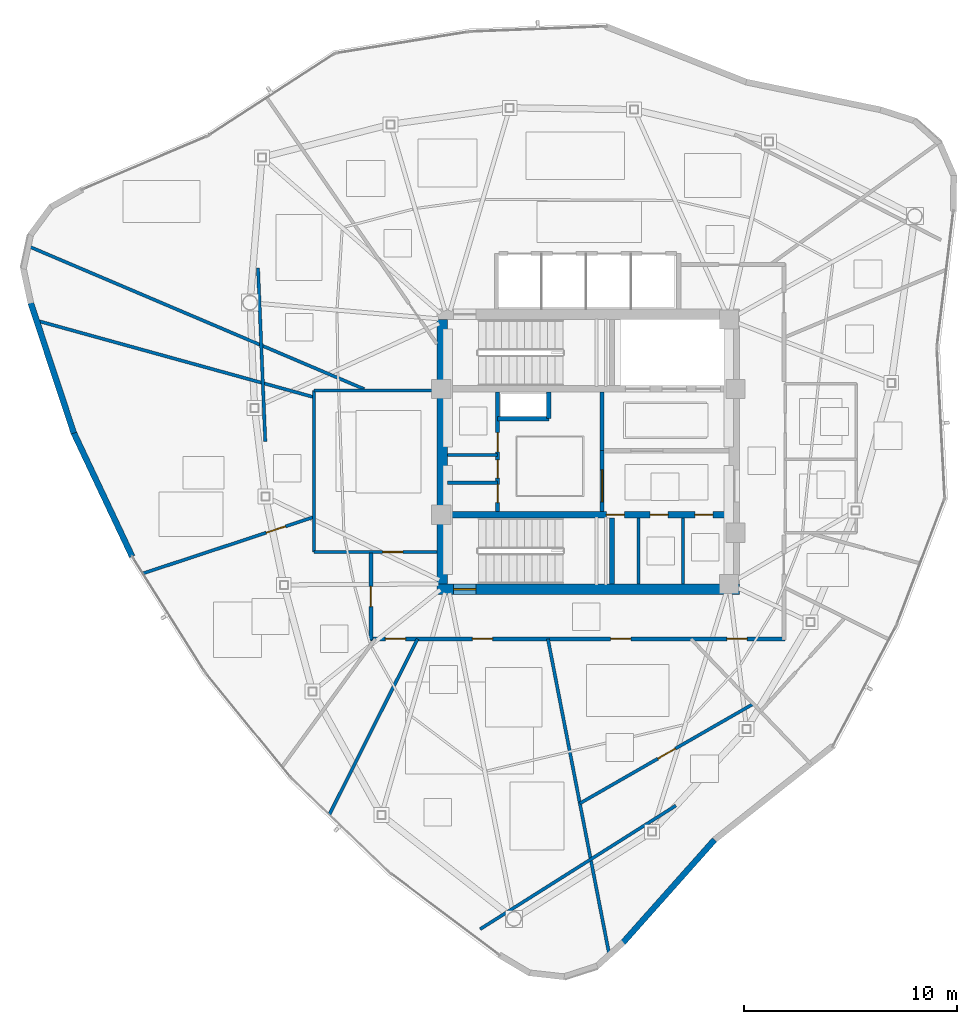
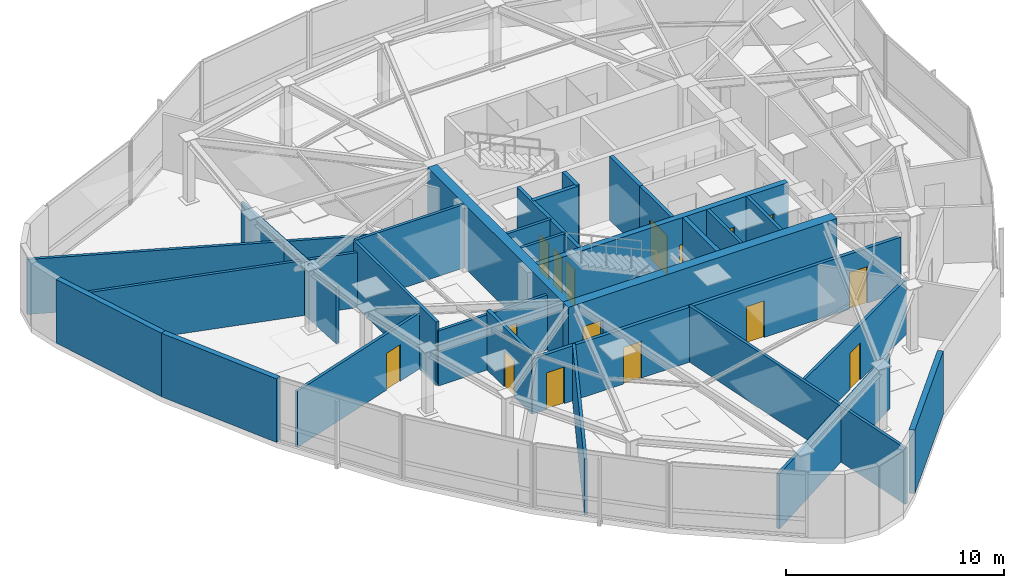
# One storey, part 8 of 12: 29 walls, 16 doors, 16 openings.
"""IFC4 building model written with IfcOpenShell, lengths in metres."""

from ifc_helpers import new_model, si_unit, direction, frame, frame_2d, origin, place, context, subcontext, project, spatial, rectangle, extrude, material, layer, layer_set, type_object, element, fill, save


model = new_model("IFC4")

# Units and contexts
model_context = context("Model", 3, precision=1e-05, world=origin(), true_north=direction((0.0, 1.0)))
body_context = subcontext(model_context, "Body", "Model", "MODEL_VIEW")
ifc_project = project(units=[si_unit("LENGTHUNIT", "METRE"), si_unit("AREAUNIT", "SQUARE_METRE"), si_unit("VOLUMEUNIT", "CUBIC_METRE"), si_unit("PLANEANGLEUNIT", "RADIAN"), si_unit("MASSUNIT", "GRAM", prefix="KILO")], contexts=[model_context])

# Site, building, storey
site_placement = place(None, origin())
site = spatial("IfcSite", under=ifc_project, at=site_placement, CompositionType="ELEMENT")
building_placement = place(site_placement, origin())
building = spatial("IfcBuilding", under=site, at=building_placement, Name="Tavelor Broadcast Tower", CompositionType="ELEMENT")
storey_placement = place(building_placement, frame((0.0, 0.0, 321.5)))
storey = spatial("IfcBuildingStorey", under=building, at=storey_placement, Name="L77", CompositionType="ELEMENT", Elevation=321.5)

# Wall, opening, door
ifc_material_1 = material(Name="Concrete C50/60", Category="concrete")
ifc_layer_1 = layer(ifc_material_1, 0.5)
ifc_layer_set_1 = layer_set([ifc_layer_1], Name="Concrete C50/60")
wall_type_1 = type_object("IfcWallType", Name="Core Shear Wall 500 mm", PredefinedType="SHEAR", material=ifc_layer_set_1)
wall_1_placement = place(storey_placement, frame((42.89990234375, 38.550048828125, 0.0), z_axis=(0.0, 0.0, 1.0), x_axis=(1.0, 0.0, 0.0)))
wall_1 = element("IfcWall", 1, at=wall_1_placement, inside=storey, type_object=wall_type_1, Name="L77 Central Core Shear Wall S", PredefinedType="SHEAR", context=body_context, shape_type="SweptSolid", body=[
    extrude(rectangle(XDim=14.2001953125, YDim=0.5, at=frame_2d((7.10009765625, 0.0))), origin(), (0.0, 0.0, 1.0), 3.550048828125),
])
opening_1_placement = place(wall_1_placement, frame((0.780029296875, 0.0, 0.0)))
opening_1 = element("IfcOpeningElement", 2, at=opening_1_placement, cuts=wall_1, Name="Opening DR11", PredefinedType="OPENING", context=body_context, shape_type="SweptSolid", body=[
    extrude(rectangle(XDim=1.050048828125, YDim=2.199951171875, at=frame_2d((0.52490234375, 1.10009765625))), frame((0.0, 0.260009765625, 0.0), z_axis=(0.0, -1.0, 0.0), x_axis=(1.0, 0.0, 0.0)), (0.0, 0.0, 1.0), 0.52001953125),
])
ifc_material_2 = material(Name="Steel S355", Category="steel")
door_type_1 = type_object("IfcDoorType", Name="Stair Core Fire Escape Door 1050x2200", OperationType="NOTDEFINED", PredefinedType="DOOR", material=ifc_material_2)
door_1_placement = place(opening_1_placement, origin())
door_1 = element("IfcDoor", 3, at=door_1_placement, inside=storey, type_object=door_type_1, Name="L77 Stair ST2 Protected Exit Door", OperationType="SINGLE_SWING_RIGHT", OverallHeight=2.199951171875, OverallWidth=1.050048828125, PredefinedType="DOOR", context=body_context, shape_type="SweptSolid", body=[
    extrude(rectangle(XDim=1.050048828125, YDim=2.199951171875, at=frame_2d((0.52490234375, 1.10009765625))), frame((0.0, 0.02490234375, 0.0), z_axis=(0.0, -1.0, 0.0), x_axis=(1.0, 0.0, 0.0)), (0.0, 0.0, 1.0), 0.050048828125),
])
fill(opening_1, door_1)

# Wall
wall_2_placement = place(storey_placement, frame((43.14990234375, 38.800048828125, 0.0), z_axis=(0.0, 0.0, 1.0), x_axis=(0.0, 1.0, 0.0)))
element("IfcWall", 4, at=wall_2_placement, inside=storey, type_object=wall_type_1, Name="L77 Central Core Shear Wall W", PredefinedType="SHEAR", context=body_context, shape_type="SweptSolid", body=[
    extrude(rectangle(XDim=12.39990234375, YDim=0.5, at=frame_2d((6.199951171875, 0.0))), origin(), (0.0, 0.0, 1.0), 3.550048828125),
])

# Wall, openings, doors
ifc_layer_2 = layer(ifc_material_1, 0.300048828125)
ifc_layer_set_2 = layer_set([ifc_layer_2], Name="Concrete C50/60")
wall_type_2 = type_object("IfcWallType", Name="Core Spine Shear Wall 300 mm C50", PredefinedType="SHEAR", material=ifc_layer_set_2)
wall_3_placement = place(storey_placement, frame((43.39990234375, 42.050048828125, 0.0), z_axis=(0.0, 0.0, 1.0), x_axis=(1.0, 0.0, 0.0)))
wall_3 = element("IfcWall", 5, at=wall_3_placement, inside=storey, type_object=wall_type_2, Name="L77 Central Core Shear Wall SP2", PredefinedType="SHEAR", context=body_context, shape_type="SweptSolid", body=[
    extrude(rectangle(XDim=13.2001953125, YDim=0.300048828125, at=frame_2d((6.60009765625, 0.0))), origin(), (0.0, 0.0, 1.0), 3.550048828125),
])
opening_2_placement = place(wall_3_placement, frame((7.449951171875, 0.0, 0.0)))
opening_2 = element("IfcOpeningElement", 6, at=opening_2_placement, cuts=wall_3, Name="Opening DR36", PredefinedType="OPENING", context=body_context, shape_type="SweptSolid", body=[
    extrude(rectangle(XDim=0.85009765625, YDim=2.050048828125, at=frame_2d((0.425048828125, 1.02490234375))), frame((0.0, 0.16015625, 0.0), z_axis=(0.0, -1.0, 0.0), x_axis=(1.0, 0.0, 0.0)), (0.0, 0.0, 1.0), 0.320068359375),
])
opening_3_placement = place(wall_3_placement, frame((9.5, 0.0, 0.0)))
opening_3 = element("IfcOpeningElement", 7, at=opening_3_placement, cuts=wall_3, Name="Opening DR36", PredefinedType="OPENING", context=body_context, shape_type="SweptSolid", body=[
    extrude(rectangle(XDim=0.85009765625, YDim=2.050048828125, at=frame_2d((0.425048828125, 1.02490234375))), frame((0.0, 0.16015625, 0.0), z_axis=(0.0, -1.0, 0.0), x_axis=(1.0, 0.0, 0.0)), (0.0, 0.0, 1.0), 0.320068359375),
])
opening_4_placement = place(wall_3_placement, frame((11.60009765625, 0.0, 0.0)))
opening_4 = element("IfcOpeningElement", 8, at=opening_4_placement, cuts=wall_3, Name="Opening DR36", PredefinedType="OPENING", context=body_context, shape_type="SweptSolid", body=[
    extrude(rectangle(XDim=0.85009765625, YDim=2.050048828125, at=frame_2d((0.425048828125, 1.02490234375))), frame((0.0, 0.16015625, 0.0), z_axis=(0.0, -1.0, 0.0), x_axis=(1.0, 0.0, 0.0)), (0.0, 0.0, 1.0), 0.320068359375),
])
door_type_2 = type_object("IfcDoorType", Name="Service Room Fire Door 850x2050", OperationType="NOTDEFINED", PredefinedType="DOOR", material=ifc_material_2)
door_2_placement = place(opening_2_placement, origin())
door_2 = element("IfcDoor", 9, at=door_2_placement, inside=storey, type_object=door_type_2, Name="L77 Reclaimed South Core Pod 1 Door", OperationType="SINGLE_SWING_LEFT", OverallHeight=2.050048828125, OverallWidth=0.85009765625, PredefinedType="DOOR", context=body_context, shape_type="SweptSolid", body=[
    extrude(rectangle(XDim=0.85009765625, YDim=2.050048828125, at=frame_2d((0.425048828125, 1.02490234375))), frame((0.0, 0.02490234375, 0.0), z_axis=(0.0, -1.0, 0.0), x_axis=(1.0, 0.0, 0.0)), (0.0, 0.0, 1.0), 0.050048828125),
])
fill(opening_2, door_2)
door_3_placement = place(opening_3_placement, origin())
door_3 = element("IfcDoor", 10, at=door_3_placement, inside=storey, type_object=door_type_2, Name="L77 Reclaimed South Core Pod 2 Door", OperationType="SINGLE_SWING_RIGHT", OverallHeight=2.050048828125, OverallWidth=0.85009765625, PredefinedType="DOOR", context=body_context, shape_type="SweptSolid", body=[
    extrude(rectangle(XDim=0.85009765625, YDim=2.050048828125, at=frame_2d((0.425048828125, 1.02490234375))), frame((0.0, 0.02490234375, 0.0), z_axis=(0.0, -1.0, 0.0), x_axis=(1.0, 0.0, 0.0)), (0.0, 0.0, 1.0), 0.050048828125),
])
fill(opening_3, door_3)
door_4_placement = place(opening_4_placement, origin())
door_4 = element("IfcDoor", 11, at=door_4_placement, inside=storey, type_object=door_type_2, Name="L77 Reclaimed South Core Pod 3 Door", OperationType="SINGLE_SWING_LEFT", OverallHeight=2.050048828125, OverallWidth=0.85009765625, PredefinedType="DOOR", context=body_context, shape_type="SweptSolid", body=[
    extrude(rectangle(XDim=0.85009765625, YDim=2.050048828125, at=frame_2d((0.425048828125, 1.02490234375))), frame((0.0, 0.02490234375, 0.0), z_axis=(0.0, -1.0, 0.0), x_axis=(1.0, 0.0, 0.0)), (0.0, 0.0, 1.0), 0.050048828125),
])
fill(opening_4, door_4)

# Wall, opening, door
ifc_material_3 = material(Name="Calcium Silicate Fire Board 180 mm", Category="gypsum")
ifc_layer_3 = layer(ifc_material_3, 0.179931640625)
ifc_layer_set_3 = layer_set([ifc_layer_3], Name="Calcium Silicate Fire Board 180 mm")
wall_type_3 = type_object("IfcWallType", Name="Fire-Rated Corridor Partition Wall 180 mm", PredefinedType="PARTITIONING", material=ifc_layer_set_3)
wall_4_placement = place(storey_placement, frame((50.64990234375, 42.199951171875, 0.0), z_axis=(0.0, 0.0, 1.0), x_axis=(0.0, 1.0, 0.0)))
wall_4 = element("IfcWall", 12, at=wall_4_placement, inside=storey, type_object=wall_type_3, Name="L77 Core Lobby Zoning Wall", PredefinedType="PARTITIONING", context=body_context, shape_type="SweptSolid", body=[
    extrude(rectangle(XDim=2.85009765625, YDim=0.179931640625, at=frame_2d((1.425048828125, 0.0))), origin(), (0.0, 0.0, 1.0), 3.550048828125),
])
opening_5_placement = place(wall_4_placement, frame((0.449951171875, 0.0, 0.0)))
opening_5 = element("IfcOpeningElement", 13, at=opening_5_placement, cuts=wall_4, Name="Opening DR14", PredefinedType="OPENING", context=body_context, shape_type="SweptSolid", body=[
    extrude(rectangle(XDim=1.5, YDim=2.199951171875, at=frame_2d((0.75, 1.10009765625))), frame((0.0, 0.10009765625, 0.0), z_axis=(0.0, -1.0, 0.0), x_axis=(1.0, 0.0, 0.0)), (0.0, 0.0, 1.0), 0.199951171875),
])
door_type_3 = type_object("IfcDoorType", Name="Firefighting Lobby Double Fire Door 1500x2200", OperationType="NOTDEFINED", PredefinedType="DOOR", material=ifc_material_2)
door_5_placement = place(opening_5_placement, origin())
door_5 = element("IfcDoor", 14, at=door_5_placement, inside=storey, type_object=door_type_3, Name="L77 Core West Lobby Double Fire Door", OperationType="SINGLE_SWING_RIGHT", OverallHeight=2.199951171875, OverallWidth=1.5, PredefinedType="DOOR", context=body_context, shape_type="SweptSolid", body=[
    extrude(rectangle(XDim=1.5, YDim=2.199951171875, at=frame_2d((0.75, 1.10009765625))), frame((0.0, 0.02490234375, 0.0), z_axis=(0.0, -1.0, 0.0), x_axis=(1.0, 0.0, 0.0)), (0.0, 0.0, 1.0), 0.050048828125),
])
fill(opening_5, door_5)

# Wall, openings, doors
wall_5_placement = place(storey_placement, frame((45.75, 42.199951171875, 0.0), z_axis=(0.0, 0.0, 1.0), x_axis=(0.0, 1.0, 0.0)))
wall_5 = element("IfcWall", 15, at=wall_5_placement, inside=storey, type_object=wall_type_3, Name="L77 Core West Service East Wall", PredefinedType="PARTITIONING", context=body_context, shape_type="SweptSolid", body=[
    extrude(rectangle(XDim=5.60009765625, YDim=0.179931640625, at=frame_2d((2.800048828125, 0.0))), origin(), (0.0, 0.0, 1.0), 3.550048828125),
])
opening_6_placement = place(wall_5_placement, frame((0.419921875, 0.0, 0.0)))
opening_6 = element("IfcOpeningElement", 16, at=opening_6_placement, cuts=wall_5, Name="Opening DR36", PredefinedType="OPENING", context=body_context, shape_type="SweptSolid", body=[
    extrude(rectangle(XDim=0.85009765625, YDim=2.050048828125, at=frame_2d((0.425048828125, 1.02490234375))), frame((0.0, 0.10009765625, 0.0), z_axis=(0.0, -1.0, 0.0), x_axis=(1.0, 0.0, 0.0)), (0.0, 0.0, 1.0), 0.199951171875),
])
opening_7_placement = place(wall_5_placement, frame((1.570068359375, 0.0, 0.0)))
opening_7 = element("IfcOpeningElement", 17, at=opening_7_placement, cuts=wall_5, Name="Opening DR36", PredefinedType="OPENING", context=body_context, shape_type="SweptSolid", body=[
    extrude(rectangle(XDim=0.85009765625, YDim=2.050048828125, at=frame_2d((0.425048828125, 1.02490234375))), frame((0.0, 0.10009765625, 0.0), z_axis=(0.0, -1.0, 0.0), x_axis=(1.0, 0.0, 0.0)), (0.0, 0.0, 1.0), 0.199951171875),
])
opening_8_placement = place(wall_5_placement, frame((2.800048828125, 0.0, 0.0)))
opening_8 = element("IfcOpeningElement", 18, at=opening_8_placement, cuts=wall_5, Name="Opening DR32", PredefinedType="OPENING", context=body_context, shape_type="SweptSolid", body=[
    extrude(rectangle(XDim=0.89990234375, YDim=2.050048828125, at=frame_2d((0.449951171875, 1.02490234375))), frame((0.0, 0.10009765625, 0.0), z_axis=(0.0, -1.0, 0.0), x_axis=(1.0, 0.0, 0.0)), (0.0, 0.0, 1.0), 0.199951171875),
])
ifc_material_4 = material(Name="Timber Solid Core Hardwood", Category="wood")
door_type_4 = type_object("IfcDoorType", Name="Accessible Washroom Door 900x2050", OperationType="NOTDEFINED", PredefinedType="DOOR", material=ifc_material_4)
door_6_placement = place(opening_8_placement, origin())
door_6 = element("IfcDoor", 19, at=door_6_placement, inside=storey, type_object=door_type_4, Name="L77 Core Accessible WC Door", OperationType="SINGLE_SWING_LEFT", OverallHeight=2.050048828125, OverallWidth=0.89990234375, PredefinedType="DOOR", context=body_context, shape_type="SweptSolid", body=[
    extrude(rectangle(XDim=0.89990234375, YDim=2.050048828125, at=frame_2d((0.449951171875, 1.02490234375))), frame((0.0, 0.02490234375, 0.0), z_axis=(0.0, -1.0, 0.0), x_axis=(1.0, 0.0, 0.0)), (0.0, 0.0, 1.0), 0.050048828125),
])
fill(opening_8, door_6)
door_7_placement = place(opening_6_placement, origin())
door_7 = element("IfcDoor", 20, at=door_7_placement, inside=storey, type_object=door_type_2, Name="L77 Core Medical Room Door", OperationType="SINGLE_SWING_LEFT", OverallHeight=2.050048828125, OverallWidth=0.85009765625, PredefinedType="DOOR", context=body_context, shape_type="SweptSolid", body=[
    extrude(rectangle(XDim=0.85009765625, YDim=2.050048828125, at=frame_2d((0.425048828125, 1.02490234375))), frame((0.0, 0.02490234375, 0.0), z_axis=(0.0, -1.0, 0.0), x_axis=(1.0, 0.0, 0.0)), (0.0, 0.0, 1.0), 0.050048828125),
])
fill(opening_6, door_7)
door_8_placement = place(opening_7_placement, origin())
door_8 = element("IfcDoor", 21, at=door_8_placement, inside=storey, type_object=door_type_2, Name="L77 Core Copy Room Door", OperationType="SINGLE_SWING_RIGHT", OverallHeight=2.050048828125, OverallWidth=0.85009765625, PredefinedType="DOOR", context=body_context, shape_type="SweptSolid", body=[
    extrude(rectangle(XDim=0.85009765625, YDim=2.050048828125, at=frame_2d((0.425048828125, 1.02490234375))), frame((0.0, 0.02490234375, 0.0), z_axis=(0.0, -1.0, 0.0), x_axis=(1.0, 0.0, 0.0)), (0.0, 0.0, 1.0), 0.050048828125),
])
fill(opening_7, door_8)

wall_6_placement = place(storey_placement, frame((59.22998046875, 36.219970703125, 0.0), z_axis=(0.0, 0.0, 1.0), x_axis=(-1.0, 0.0, 0.0)))
wall_6 = element("IfcWall", 22, at=wall_6_placement, inside=storey, type_object=wall_type_3, Name="L77 Corridor Compartment Wall 04", PredefinedType="PARTITIONING", context=body_context, shape_type="SweptSolid", body=[
    extrude(rectangle(XDim=19.47998046875, YDim=0.179931640625, at=frame_2d((9.739990234375, 0.0))), origin(), (0.0, 0.0, 1.0), 3.074951171875),
])
opening_9_placement = place(wall_6_placement, frame((1.778564453125, 0.0, 0.0)))
opening_9 = element("IfcOpeningElement", 23, at=opening_9_placement, cuts=wall_6, Name="Opening DR18", PredefinedType="OPENING", context=body_context, shape_type="SweptSolid", body=[
    extrude(rectangle(XDim=0.949951171875, YDim=2.050048828125, at=frame_2d((0.47509765625, 1.02490234375))), frame((0.0, 0.10009765625, 0.0), z_axis=(0.0, -1.0, 0.0), x_axis=(1.0, 0.0, 0.0)), (0.0, 0.0, 1.0), 0.199951171875),
])
opening_10_placement = place(wall_6_placement, frame((7.23095703125, 0.0, 0.0)))
opening_10 = element("IfcOpeningElement", 24, at=opening_10_placement, cuts=wall_6, Name="Opening DR18", PredefinedType="OPENING", context=body_context, shape_type="SweptSolid", body=[
    extrude(rectangle(XDim=0.949951171875, YDim=2.050048828125, at=frame_2d((0.47509765625, 1.02490234375))), frame((0.0, 0.10009765625, 0.0), z_axis=(0.0, -1.0, 0.0), x_axis=(1.0, 0.0, 0.0)), (0.0, 0.0, 1.0), 0.199951171875),
])
opening_11_placement = place(wall_6_placement, frame((13.718994140625, 0.0, 0.0)))
opening_11 = element("IfcOpeningElement", 25, at=opening_11_placement, cuts=wall_6, Name="Opening DR18", PredefinedType="OPENING", context=body_context, shape_type="SweptSolid", body=[
    extrude(rectangle(XDim=0.949951171875, YDim=2.050048828125, at=frame_2d((0.47509765625, 1.02490234375))), frame((0.0, 0.10009765625, 0.0), z_axis=(0.0, -1.0, 0.0), x_axis=(1.0, 0.0, 0.0)), (0.0, 0.0, 1.0), 0.199951171875),
])
opening_12_placement = place(wall_6_placement, frame((17.798828125, 0.0, 0.0)))
opening_12 = element("IfcOpeningElement", 26, at=opening_12_placement, cuts=wall_6, Name="Opening DR18", PredefinedType="OPENING", context=body_context, shape_type="SweptSolid", body=[
    extrude(rectangle(XDim=0.949951171875, YDim=2.050048828125, at=frame_2d((0.47509765625, 1.02490234375))), frame((0.0, 0.10009765625, 0.0), z_axis=(0.0, -1.0, 0.0), x_axis=(1.0, 0.0, 0.0)), (0.0, 0.0, 1.0), 0.199951171875),
])
door_type_5 = type_object("IfcDoorType", Name="Corridor Rated Compartment Door 950x2050", OperationType="NOTDEFINED", PredefinedType="DOOR", material=ifc_material_4)
door_9_placement = place(opening_9_placement, origin())
door_9 = element("IfcDoor", 27, at=door_9_placement, inside=storey, type_object=door_type_5, Name="L77 Editorial Coffee Pantry Door R10", OperationType="SINGLE_SWING_RIGHT", OverallHeight=2.050048828125, OverallWidth=0.949951171875, PredefinedType="DOOR", context=body_context, shape_type="SweptSolid", body=[
    extrude(rectangle(XDim=0.949951171875, YDim=2.050048828125, at=frame_2d((0.47509765625, 1.02490234375))), frame((0.0, 0.02490234375, 0.0), z_axis=(0.0, -1.0, 0.0), x_axis=(1.0, 0.0, 0.0)), (0.0, 0.0, 1.0), 0.050048828125),
])
fill(opening_9, door_9)
door_10_placement = place(opening_10_placement, origin())
door_10 = element("IfcDoor", 28, at=door_10_placement, inside=storey, type_object=door_type_5, Name="L77 Broadcast Concierge Desk Door R11", OperationType="SINGLE_SWING_LEFT", OverallHeight=2.050048828125, OverallWidth=0.949951171875, PredefinedType="DOOR", context=body_context, shape_type="SweptSolid", body=[
    extrude(rectangle(XDim=0.949951171875, YDim=2.050048828125, at=frame_2d((0.47509765625, 1.02490234375))), frame((0.0, 0.02490234375, 0.0), z_axis=(0.0, -1.0, 0.0), x_axis=(1.0, 0.0, 0.0)), (0.0, 0.0, 1.0), 0.050048828125),
])
fill(opening_10, door_10)
door_11_placement = place(opening_11_placement, origin())
door_11 = element("IfcDoor", 29, at=door_11_placement, inside=storey, type_object=door_type_5, Name="L77 Editorial Huddle Room Door R4", OperationType="SINGLE_SWING_RIGHT", OverallHeight=2.050048828125, OverallWidth=0.949951171875, PredefinedType="DOOR", context=body_context, shape_type="SweptSolid", body=[
    extrude(rectangle(XDim=0.949951171875, YDim=2.050048828125, at=frame_2d((0.47509765625, 1.02490234375))), frame((0.0, 0.02490234375, 0.0), z_axis=(0.0, -1.0, 0.0), x_axis=(1.0, 0.0, 0.0)), (0.0, 0.0, 1.0), 0.050048828125),
])
fill(opening_11, door_11)
door_12_placement = place(opening_12_placement, origin())
door_12 = element("IfcDoor", 30, at=door_12_placement, inside=storey, type_object=door_type_5, Name="L77 Press Interview Room Door R5", OperationType="SINGLE_SWING_LEFT", OverallHeight=2.050048828125, OverallWidth=0.949951171875, PredefinedType="DOOR", context=body_context, shape_type="SweptSolid", body=[
    extrude(rectangle(XDim=0.949951171875, YDim=2.050048828125, at=frame_2d((0.47509765625, 1.02490234375))), frame((0.0, 0.02490234375, 0.0), z_axis=(0.0, -1.0, 0.0), x_axis=(1.0, 0.0, 0.0)), (0.0, 0.0, 1.0), 0.050048828125),
])
fill(opening_12, door_12)

# Wall, opening, door
wall_7_placement = place(storey_placement, frame((39.800048828125, 36.169921875, 0.0), z_axis=(0.0, 0.0, 1.0), x_axis=(0.0, 1.0, 0.0)))
wall_7 = element("IfcWall", 31, at=wall_7_placement, inside=storey, type_object=wall_type_3, Name="L77 Corridor Compartment Wall 05", PredefinedType="PARTITIONING", context=body_context, shape_type="SweptSolid", body=[
    extrude(rectangle(XDim=4.080078125, YDim=0.179931640625, at=frame_2d((2.0400390625, 0.0))), origin(), (0.0, 0.0, 1.0), 3.324951171875),
])
opening_13_placement = place(wall_7_placement, frame((1.56494140625, 0.0, 0.0)))
opening_13 = element("IfcOpeningElement", 32, at=opening_13_placement, cuts=wall_7, Name="Opening DR18", PredefinedType="OPENING", context=body_context, shape_type="SweptSolid", body=[
    extrude(rectangle(XDim=0.949951171875, YDim=2.050048828125, at=frame_2d((0.47509765625, 1.02490234375))), frame((0.0, 0.10009765625, 0.0), z_axis=(0.0, -1.0, 0.0), x_axis=(1.0, 0.0, 0.0)), (0.0, 0.0, 1.0), 0.199951171875),
])
door_13_placement = place(opening_13_placement, origin())
door_13 = element("IfcDoor", 33, at=door_13_placement, inside=storey, type_object=door_type_5, Name="L77 Standards Huddle Room Door R6", OperationType="SINGLE_SWING_RIGHT", OverallHeight=2.050048828125, OverallWidth=0.949951171875, PredefinedType="DOOR", context=body_context, shape_type="SweptSolid", body=[
    extrude(rectangle(XDim=0.949951171875, YDim=2.050048828125, at=frame_2d((0.47509765625, 1.02490234375))), frame((0.0, 0.02490234375, 0.0), z_axis=(0.0, -1.0, 0.0), x_axis=(1.0, 0.0, 0.0)), (0.0, 0.0, 1.0), 0.050048828125),
])
fill(opening_13, door_13)

# Walls
ifc_material_5 = material(Name="Precast Concrete C40/50", Category="concrete")
ifc_layer_4 = layer(ifc_material_5, 0.280029296875)
ifc_layer_set_4 = layer_set([ifc_layer_4], Name="Precast Concrete C40/50")
wall_type_4 = type_object("IfcWallType", Name="Insulated Precast Terracotta Facade Wall 280 mm", PredefinedType="STANDARD", material=ifc_layer_set_4)
wall_8_placement = place(storey_placement, frame((23.841796875, 51.992919921875, 0.0), z_axis=(0.0, 0.0, 1.0), x_axis=(0.314363028612, -0.949302842217, 0.0)))
element("IfcWall", 34, at=wall_8_placement, inside=storey, type_object=wall_type_4, Name="L77 Rounded Corner Structural Cladding Pier 05", PredefinedType="STANDARD", context=body_context, shape_type="SweptSolid", body=[
    extrude(rectangle(XDim=6.443603515625, YDim=0.280029296875, at=frame_2d((3.2216796875, 0.0))), origin(), (0.0, 0.0, 1.0), 3.550048828125),
])
wall_9_placement = place(storey_placement, frame((25.8564453125, 45.90380859375, 0.0), z_axis=(0.0, 0.0, 1.0), x_axis=(0.426935605185, -0.904282029582, 0.0)))
element("IfcWall", 35, at=wall_9_placement, inside=storey, type_object=wall_type_4, Name="L77 Rounded Corner Structural Cladding Pier 06", PredefinedType="STANDARD", context=body_context, shape_type="SweptSolid", body=[
    extrude(rectangle(XDim=6.431640625, YDim=0.280029296875, at=frame_2d((3.2158203125, 0.0))), origin(), (0.0, 0.0, 1.0), 3.550048828125),
])
wall_10_placement = place(storey_placement, frame((51.623291015625, 21.967529296875, 0.0), z_axis=(0.0, 0.0, 1.0), x_axis=(0.664900489845, 0.74693195045, 0.0)))
element("IfcWall", 36, at=wall_10_placement, inside=storey, type_object=wall_type_4, Name="L77 Rounded Corner Structural Cladding Pier 15", PredefinedType="STANDARD", context=body_context, shape_type="SweptSolid", body=[
    extrude(rectangle(XDim=6.46435546875, YDim=0.280029296875, at=frame_2d((3.232177734375, 0.0))), origin(), (0.0, 0.0, 1.0), 3.550048828125),
])
ifc_material_6 = material(Name="Gypsum Acoustic Plasterboard 150 mm", Category="gypsum")
ifc_layer_5 = layer(ifc_material_6, 0.14990234375)
ifc_layer_set_5 = layer_set([ifc_layer_5], Name="Gypsum Acoustic Plasterboard 150 mm")
wall_type_5 = type_object("IfcWallType", Name="Interior Acoustic Partition Wall 150 mm", PredefinedType="PARTITIONING", material=ifc_layer_set_5)
for number, where, z_axis, x_axis, name in (
    (37, (52.35009765625, 38.800048828125, 0.0), (0.0, 0.0, 1.0), (0.0, 1.0, 0.0), "L77 Reclaimed South Core Divider 1"),
    (38, (54.449951171875, 38.800048828125, 0.0), (0.0, 0.0, 1.0), (0.0, 1.0, 0.0), "L77 Reclaimed South Core Divider 2"),
):
    element("IfcWall", number, at=place(storey_placement, frame(where, z_axis=z_axis, x_axis=x_axis)), inside=storey, type_object=wall_type_5, Name=name, PredefinedType="PARTITIONING", context=body_context, shape_type="SweptSolid", body=[
        extrude(rectangle(XDim=3.099853515625, YDim=0.14990234375, at=frame_2d((1.5498046875, 0.0))), origin(), (0.0, 0.0, 1.0), 3.550048828125),
    ])
for number, where, z_axis, x_axis, name in (
    (39, (43.39990234375, 43.550048828125, 0.0), (0.0, 0.0, 1.0), (1.0, 0.0, 0.0), "L77 Core Split Wall B1"),
    (40, (43.39990234375, 44.85009765625, 0.0), (0.0, 0.0, 1.0), (1.0, 0.0, 0.0), "L77 Core Split Wall B2"),
):
    element("IfcWall", number, at=place(storey_placement, frame(where, z_axis=z_axis, x_axis=x_axis)), inside=storey, type_object=wall_type_5, Name=name, PredefinedType="PARTITIONING", context=body_context, shape_type="SweptSolid", body=[
        extrude(rectangle(XDim=2.35009765625, YDim=0.14990234375, at=frame_2d((1.175048828125, 0.0))), origin(), (0.0, 0.0, 1.0), 3.550048828125),
    ])
wall_11_placement = place(storey_placement, frame((34.50732421875, 53.61279296875, 0.0), z_axis=(0.0, 0.0, 1.0), x_axis=(0.041875090182, -0.999122853718, 0.0)))
element("IfcWall", 41, at=wall_11_placement, inside=storey, type_object=wall_type_5, Name="L77 Corner Tube Brace Furring Wall 1", PredefinedType="PARTITIONING", context=body_context, shape_type="SweptSolid", body=[
    extrude(rectangle(XDim=8.138916015625, YDim=0.14990234375, at=frame_2d((4.0693359375, 0.0))), origin(), (0.0, 0.0, 1.0), 3.125),
])
wall_12_placement = place(storey_placement, frame((44.9267578125, 22.60546875, 0.0), z_axis=(0.0, 0.0, 1.0), x_axis=(0.845624548895, 0.533778158326, 0.0)))
element("IfcWall", 42, at=wall_12_placement, inside=storey, type_object=wall_type_5, Name="L77 Corner Tube Brace Furring Wall 2", PredefinedType="PARTITIONING", context=body_context, shape_type="SweptSolid", body=[
    extrude(rectangle(XDim=10.861083984375, YDim=0.14990234375, at=frame_2d((5.4306640625, 0.0))), origin(), (0.0, 0.0, 1.0), 3.074951171875),
])

# Wall, opening, door
wall_13_placement = place(storey_placement, frame((37.139892578125, 40.300048828125, 0.0), z_axis=(0.0, 0.0, 1.0), x_axis=(1.0, 0.0, 0.0)))
wall_13 = element("IfcWall", 43, at=wall_13_placement, inside=storey, type_object=wall_type_5, Name="L77 Reclaimed Shaft Pantry South Wall", PredefinedType="PARTITIONING", context=body_context, shape_type="SweptSolid", body=[
    extrude(rectangle(XDim=5.760009765625, YDim=0.14990234375, at=frame_2d((2.8798828125, 0.0))), origin(), (0.0, 0.0, 1.0), 3.074951171875),
])
opening_14_placement = place(wall_13_placement, frame((3.2099609375, 0.0, 0.0)))
opening_14 = element("IfcOpeningElement", 44, at=opening_14_placement, cuts=wall_13, Name="Opening DR18", PredefinedType="OPENING", context=body_context, shape_type="SweptSolid", body=[
    extrude(rectangle(XDim=0.949951171875, YDim=2.050048828125, at=frame_2d((0.47509765625, 1.02490234375))), frame((0.0, 0.0849609375, 0.0), z_axis=(0.0, -1.0, 0.0), x_axis=(1.0, 0.0, 0.0)), (0.0, 0.0, 1.0), 0.169921875),
])
door_14_placement = place(opening_14_placement, origin())
door_14 = element("IfcDoor", 45, at=door_14_placement, inside=storey, type_object=door_type_5, Name="L77 Broadcast IT Patch and Pantry Door", OperationType="SINGLE_SWING_LEFT", OverallHeight=2.050048828125, OverallWidth=0.949951171875, PredefinedType="DOOR", context=body_context, shape_type="SweptSolid", body=[
    extrude(rectangle(XDim=0.949951171875, YDim=2.050048828125, at=frame_2d((0.47509765625, 1.02490234375))), frame((0.0, 0.02490234375, 0.0), z_axis=(0.0, -1.0, 0.0), x_axis=(1.0, 0.0, 0.0)), (0.0, 0.0, 1.0), 0.050048828125),
])
fill(opening_14, door_14)

# Walls
wall_14_placement = place(storey_placement, frame((37.139892578125, 40.300048828125, 0.0), z_axis=(0.0, 0.0, 1.0), x_axis=(0.0, 1.0, 0.0)))
element("IfcWall", 46, at=wall_14_placement, inside=storey, type_object=wall_type_5, Name="L77 Reclaimed Shaft Pantry West Wall", PredefinedType="PARTITIONING", context=body_context, shape_type="SweptSolid", body=[
    extrude(rectangle(XDim=7.579833984375, YDim=0.14990234375, at=frame_2d((3.7900390625, 0.0))), origin(), (0.0, 0.0, 1.0), 3.550048828125),
])
wall_15_placement = place(storey_placement, frame((37.139892578125, 47.8798828125, 0.0), z_axis=(0.0, 0.0, 1.0), x_axis=(1.0, 0.0, 0.0)))
element("IfcWall", 47, at=wall_15_placement, inside=storey, type_object=wall_type_5, Name="L77 Reclaimed Shaft Pantry North Wall", PredefinedType="PARTITIONING", context=body_context, shape_type="SweptSolid", body=[
    extrude(rectangle(XDim=5.760009765625, YDim=0.14990234375, at=frame_2d((2.8798828125, 0.0))), origin(), (0.0, 0.0, 1.0), 3.550048828125),
])
wall_16_placement = place(storey_placement, frame((48.106689453125, 36.219970703125, 0.0), z_axis=(0.0, 0.0, 1.0), x_axis=(0.190804372381, -0.981628082056, 0.0)))
element("IfcWall", 48, at=wall_16_placement, inside=storey, type_object=wall_type_5, Name="L77 Radial Compartment Wall 01", PredefinedType="PARTITIONING", context=body_context, shape_type="SweptSolid", body=[
    extrude(rectangle(XDim=15.11376953125, YDim=0.14990234375, at=frame_2d((7.556884765625, 0.0))), origin(), (0.0, 0.0, 1.0), 3.125),
])
wall_17_placement = place(storey_placement, frame((39.490478515625, 47.93994140625, 0.0), z_axis=(0.0, 0.0, 1.0), x_axis=(-0.920160749364, 0.391540796507, 0.0)))
element("IfcWall", 49, at=wall_17_placement, inside=storey, type_object=wall_type_5, Name="L77 Radial Compartment Wall 08", PredefinedType="PARTITIONING", context=body_context, shape_type="SweptSolid", body=[
    extrude(rectangle(XDim=17.142333984375, YDim=0.14990234375, at=frame_2d((8.5712890625, 0.0))), origin(), (0.0, 0.0, 1.0), 3.074951171875),
])
wall_18_placement = place(storey_placement, frame((37.080078125, 47.575439453125, 0.0), z_axis=(0.0, 0.0, 1.0), x_axis=(-0.963875151347, 0.266354449215, 0.0)))
element("IfcWall", 50, at=wall_18_placement, inside=storey, type_object=wall_type_5, Name="L77 Radial Compartment Wall 09", PredefinedType="PARTITIONING", context=body_context, shape_type="SweptSolid", body=[
    extrude(rectangle(XDim=13.45947265625, YDim=0.14990234375, at=frame_2d((6.729736328125, 0.0))), origin(), (0.0, 0.0, 1.0), 3.074951171875),
])

# Wall, opening, door
wall_19_placement = place(storey_placement, frame((37.080078125, 41.92431640625, 0.0), z_axis=(0.0, 0.0, 1.0), x_axis=(-0.949625538611, -0.313386879778, 0.0)))
wall_19 = element("IfcWall", 51, at=wall_19_placement, inside=storey, type_object=wall_type_5, Name="L77 Radial Compartment Wall 10", PredefinedType="PARTITIONING", context=body_context, shape_type="SweptSolid", body=[
    extrude(rectangle(XDim=8.408935546875, YDim=0.14990234375, at=frame_2d((4.20458984375, 0.0))), origin(), (0.0, 0.0, 1.0), 3.125),
])
opening_15_placement = place(wall_19_placement, frame((1.35009765625, 0.0, 0.0)))
opening_15 = element("IfcOpeningElement", 52, at=opening_15_placement, cuts=wall_19, Name="Opening DR18", PredefinedType="OPENING", context=body_context, shape_type="SweptSolid", body=[
    extrude(rectangle(XDim=0.949951171875, YDim=2.050048828125, at=frame_2d((0.47509765625, 1.02490234375))), frame((0.0, 0.0849609375, 0.0), z_axis=(0.0, -1.0, 0.0), x_axis=(1.0, 0.0, 0.0)), (0.0, 0.0, 1.0), 0.169921875),
])
door_15_placement = place(opening_15_placement, origin())
door_15 = element("IfcDoor", 53, at=door_15_placement, inside=storey, type_object=door_type_5, Name="L77 Suite Connecting Door 7", OperationType="SINGLE_SWING_RIGHT", OverallHeight=2.050048828125, OverallWidth=0.949951171875, PredefinedType="DOOR", context=body_context, shape_type="SweptSolid", body=[
    extrude(rectangle(XDim=0.949951171875, YDim=2.050048828125, at=frame_2d((0.47509765625, 1.02490234375))), frame((0.0, 0.02490234375, 0.0), z_axis=(0.0, -1.0, 0.0), x_axis=(1.0, 0.0, 0.0)), (0.0, 0.0, 1.0), 0.050048828125),
])
fill(opening_15, door_15)

# Wall
wall_20_placement = place(storey_placement, frame((41.990478515625, 36.219970703125, 0.0), z_axis=(0.0, 0.0, 1.0), x_axis=(-0.448789550097, -0.893637476678, 0.0)))
element("IfcWall", 54, at=wall_20_placement, inside=storey, type_object=wall_type_5, Name="L77 Radial Compartment Wall 12", PredefinedType="PARTITIONING", context=body_context, shape_type="SweptSolid", body=[
    extrude(rectangle(XDim=9.22900390625, YDim=0.14990234375, at=frame_2d((4.614501953125, 0.0))), origin(), (0.0, 0.0, 1.0), 3.125),
])

# Wall, opening, door
wall_21_placement = place(storey_placement, frame((49.606201171875, 28.505126953125, 0.0), z_axis=(0.0, 0.0, 1.0), x_axis=(0.867373766806, 0.497657260227, 0.0)))
wall_21 = element("IfcWall", 55, at=wall_21_placement, inside=storey, type_object=wall_type_5, Name="L77 Suite Chord Partition Wall 01", PredefinedType="PARTITIONING", context=body_context, shape_type="SweptSolid", body=[
    extrude(rectangle(XDim=9.380859375, YDim=0.14990234375, at=frame_2d((4.6904296875, 0.0))), origin(), (0.0, 0.0, 1.0), 3.074951171875),
])
opening_16_placement = place(wall_21_placement, frame((4.21533203125, 0.0, 0.0)))
opening_16 = element("IfcOpeningElement", 56, at=opening_16_placement, cuts=wall_21, Name="Opening DR23", PredefinedType="OPENING", context=body_context, shape_type="SweptSolid", body=[
    extrude(rectangle(XDim=0.949951171875, YDim=2.050048828125, at=frame_2d((0.47509765625, 1.02490234375))), frame((0.0, 0.0849609375, 0.0), z_axis=(0.0, -1.0, 0.0), x_axis=(1.0, 0.0, 0.0)), (0.0, 0.0, 1.0), 0.169921875),
])
door_type_6 = type_object("IfcDoorType", Name="Editorial Room Acoustic Door 950x2050", OperationType="NOTDEFINED", PredefinedType="DOOR", material=ifc_material_4)
door_16_placement = place(opening_16_placement, origin())
door_16 = element("IfcDoor", 57, at=door_16_placement, inside=storey, type_object=door_type_6, Name="L77 Outer Suite Partition Door 1", OperationType="SINGLE_SWING_LEFT", OverallHeight=2.050048828125, OverallWidth=0.949951171875, PredefinedType="DOOR", context=body_context, shape_type="SweptSolid", body=[
    extrude(rectangle(XDim=0.949951171875, YDim=2.050048828125, at=frame_2d((0.47509765625, 1.02490234375))), frame((0.0, 0.02490234375, 0.0), z_axis=(0.0, -1.0, 0.0), x_axis=(1.0, 0.0, 0.0)), (0.0, 0.0, 1.0), 0.050048828125),
])
fill(opening_16, door_16)

# Walls
ifc_material_7 = material(Name="Concrete Blockwork 200 mm", Category="masonry")
ifc_layer_6 = layer(ifc_material_7, 0.199951171875)
ifc_layer_set_6 = layer_set([ifc_layer_6], Name="Concrete Blockwork 200 mm")
wall_type_6 = type_object("IfcWallType", Name="Lift and Riser Shaft Enclosure Wall 200 mm", PredefinedType="PARTITIONING", material=ifc_layer_set_6)
wall_22_placement = place(storey_placement, frame((45.75, 46.550048828125, 0.0), z_axis=(0.0, 0.0, 1.0), x_axis=(1.0, 0.0, 0.0)))
element("IfcWall", 58, at=wall_22_placement, inside=storey, type_object=wall_type_6, Name="L77 Riser Shaft South Wall", PredefinedType="PARTITIONING", context=body_context, shape_type="SweptSolid", body=[
    extrude(rectangle(XDim=2.39990234375, YDim=0.199951171875, at=frame_2d((1.199951171875, 0.0))), origin(), (0.0, 0.0, 1.0), 3.550048828125),
])
wall_23_placement = place(storey_placement, frame((48.14990234375, 46.550048828125, 0.0), z_axis=(0.0, 0.0, 1.0), x_axis=(0.0, 1.0, 0.0)))
element("IfcWall", 59, at=wall_23_placement, inside=storey, type_object=wall_type_6, Name="L77 Riser Shaft East Wall", PredefinedType="PARTITIONING", context=body_context, shape_type="SweptSolid", body=[
    extrude(rectangle(XDim=1.25, YDim=0.199951171875, at=frame_2d((0.625, 0.0))), origin(), (0.0, 0.0, 1.0), 3.550048828125),
])
wall_24_placement = place(storey_placement, frame((50.64990234375, 45.050048828125, 0.0), z_axis=(0.0, 0.0, 1.0), x_axis=(0.0, 1.0, 0.0)))
element("IfcWall", 60, at=wall_24_placement, inside=storey, type_object=wall_type_6, Name="L77 Firefighting Lobby West Wall", PredefinedType="PARTITIONING", context=body_context, shape_type="SweptSolid", body=[
    extrude(rectangle(XDim=2.75, YDim=0.199951171875, at=frame_2d((1.375, 0.0))), origin(), (0.0, 0.0, 1.0), 3.550048828125),
])
ifc_material_8 = material(Name="Concrete C40/50", Category="concrete")
ifc_layer_7 = layer(ifc_material_8, 0.219970703125)
ifc_layer_set_7 = layer_set([ifc_layer_7], Name="Concrete C40/50")
wall_type_7 = type_object("IfcWallType", Name="Structural Stairwell Shear Wall 220 mm", PredefinedType="SHEAR", material=ifc_layer_set_7)
wall_25_placement = place(storey_placement, frame((51.110107421875, 38.800048828125, 0.0), z_axis=(0.0, 0.0, 1.0), x_axis=(0.0, 1.0, 0.0)))
element("IfcWall", 61, at=wall_25_placement, inside=storey, type_object=wall_type_7, Name="L77 Stair ST2 Structural Shaft Wall", PredefinedType="SHEAR", context=body_context, shape_type="SweptSolid", body=[
    extrude(rectangle(XDim=3.099853515625, YDim=0.219970703125, at=frame_2d((1.5498046875, 0.0))), origin(), (0.0, 0.0, 1.0), 3.550048828125),
])

save(model, "model.ifc")
